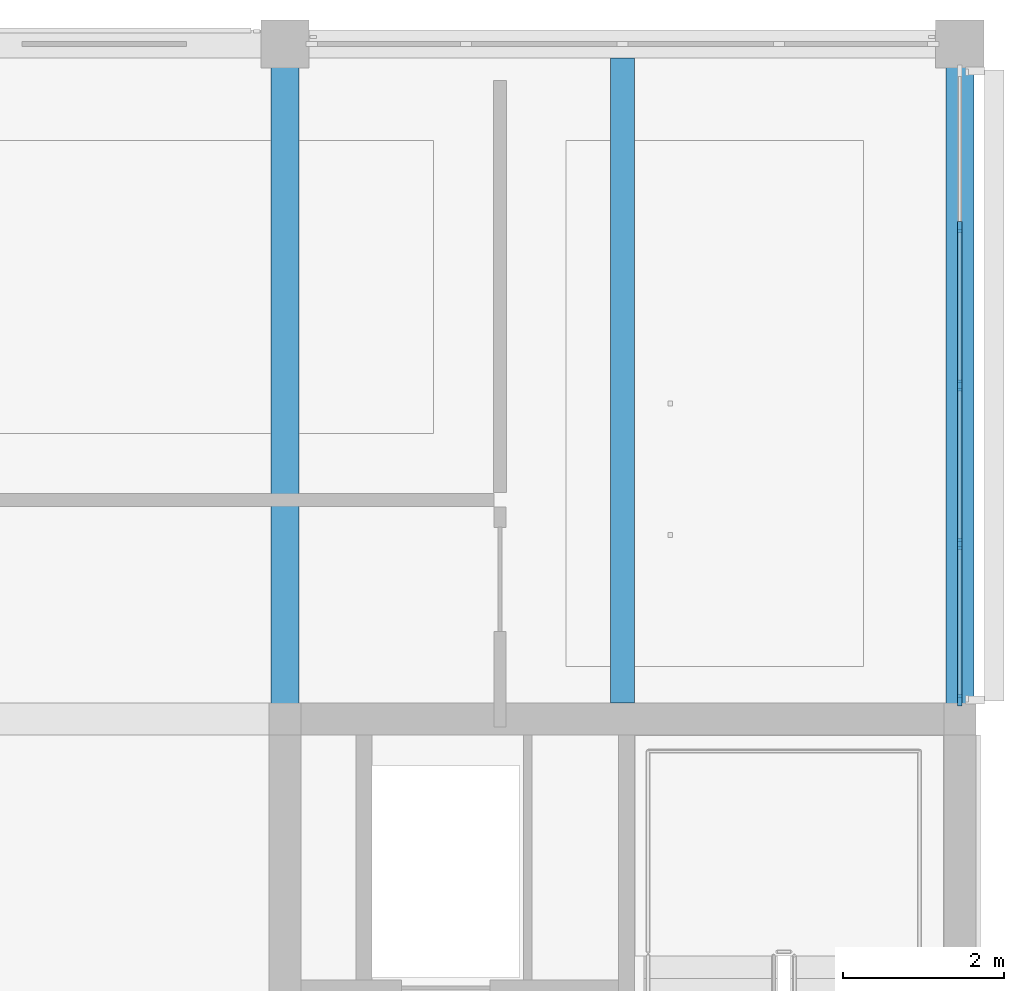
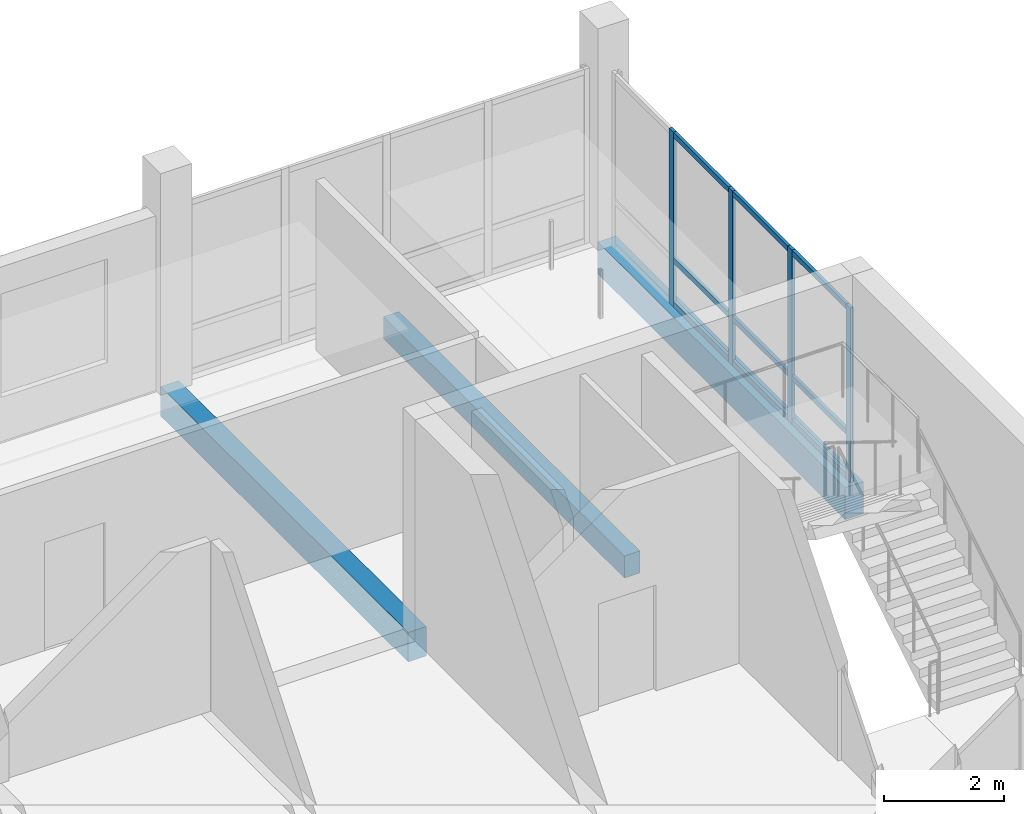
# One storey, part 7 of 30: 13 members, 3 beams, 1 element without a shape of its own.
"""IFC4 building model written with IfcOpenShell, lengths in metres."""

from ifc_helpers import new_model, si_unit, direction, frame, origin, origin_2d, place, context, subcontext, project, spatial, rectangle, extrude, material, layer, layer_set, material_profile, profile_set, type_object, element, aggregate, save


model = new_model("IFC4")

# Units and contexts
model_context = context("Model", 3, precision=1e-05, world=origin(), true_north=direction((0.0, 1.0)))
body_context = subcontext(model_context, "Body", "Model", "MODEL_VIEW")
ifc_project = project(units=[si_unit("LENGTHUNIT", "METRE"), si_unit("AREAUNIT", "SQUARE_METRE"), si_unit("VOLUMEUNIT", "CUBIC_METRE"), si_unit("PLANEANGLEUNIT", "RADIAN"), si_unit("MASSUNIT", "GRAM", prefix="KILO")], contexts=[model_context])

# Site, building, storey
site_placement = place(None, origin())
site = spatial("IfcSite", under=ifc_project, at=site_placement, CompositionType="ELEMENT")
building_placement = place(site_placement, origin())
building = spatial("IfcBuilding", under=site, at=building_placement, Name="Telukmera Botanical Conservatory", CompositionType="ELEMENT")
storey_placement = place(building_placement, frame((0.0, 0.0, 60.0)))
storey = spatial("IfcBuildingStorey", under=building, at=storey_placement, Name="L13", CompositionType="ELEMENT", Elevation=60.0)

# Beams
ifc_material_1 = material(Name="Concrete C40/50", Category="concrete")
ifc_material_profile_1 = material_profile(ifc_material_1, rectangle(XDim=0.300048828125, YDim=0.449951171875, at=origin_2d()), Name="RC 300x450")
ifc_profile_set_1 = profile_set([ifc_material_profile_1], Name="Concrete C40/50")
beam_type_1 = type_object("IfcBeamType", Name="Beam_B25", PredefinedType="JOIST", material=ifc_profile_set_1)
beam_1_placement = place(storey_placement, frame((96.60009765625, 34.60009765625, -0.22509765625), z_axis=(0.0, 1.0, 0.0), x_axis=(-1.0, 0.0, 0.0)))
element("IfcBeam", 1, at=beam_1_placement, inside=storey, type_object=beam_type_1, Name="Tower Secondary Floor Joist L13", PredefinedType="JOIST", context=body_context, shape_type="SweptSolid", body=[
    extrude(rectangle(XDim=0.300048828125, YDim=0.449951171875, at=origin_2d()), origin(), (0.0, 0.0, 1.0), 8.02490234375),
])
ifc_material_profile_2 = material_profile(ifc_material_1, rectangle(XDim=0.35009765625, YDim=0.60009765625, at=origin_2d()), Name="RC 350x600")
ifc_profile_set_2 = profile_set([ifc_material_profile_2], Name="Concrete C40/50")
beam_type_2 = type_object("IfcBeamType", Name="Beam_B9", PredefinedType="BEAM", material=ifc_profile_set_2)
beam_2_placement = place(storey_placement, frame((92.39990234375, 34.47998046875, -0.300048828125), z_axis=(0.0, 1.0, 0.0), x_axis=(-1.0, 0.0, 0.0)))
element("IfcBeam", 2, at=beam_2_placement, inside=storey, type_object=beam_type_2, Name="Tower Transverse Beam L13", PredefinedType="BEAM", context=body_context, shape_type="SweptSolid", body=[
    extrude(rectangle(XDim=0.35009765625, YDim=0.60009765625, at=origin_2d()), origin(), (0.0, 0.0, 1.0), 8.239990234375),
])
ifc_material_2 = material(Name="Precast concrete C40/50", Category="concrete")
ifc_material_profile_3 = material_profile(ifc_material_2, rectangle(XDim=0.35009765625, YDim=0.64990234375, at=origin_2d()), Name="PC 350x650")
ifc_profile_set_3 = profile_set([ifc_material_profile_3], Name="Precast concrete C40/50")
beam_type_3 = type_object("IfcBeamType", Name="Beam_SP3", PredefinedType="SPANDREL", material=ifc_profile_set_3)
beam_3_placement = place(storey_placement, frame((100.800048828125, 34.47998046875, -0.324951171875), z_axis=(0.0, 1.0, 0.0), x_axis=(-1.0, 0.0, 0.0)))
element("IfcBeam", 3, at=beam_3_placement, inside=storey, type_object=beam_type_3, Name="Tower Transverse Beam L13", PredefinedType="SPANDREL", context=body_context, shape_type="SweptSolid", body=[
    extrude(rectangle(XDim=0.35009765625, YDim=0.64990234375, at=origin_2d()), origin(), (0.0, 0.0, 1.0), 8.239990234375),
])

# Curtain wall, members
ifc_material_3 = material(Name="Anodised aluminium 6063-T6", Category="aluminium")
ifc_layer = layer(ifc_material_3, 0.179931640625)
ifc_layer_set = layer_set([ifc_layer], Name="Anodised aluminium 6063-T6")
curtain_wall_type = type_object("IfcCurtainWallType", Name="Tower Research Laboratory Unitised Curtain Wall", PredefinedType="USERDEFINED", material=ifc_layer_set)
curtain_wall_placement = place(storey_placement, origin())
curtain_wall = element("IfcCurtainWall", 4, at=curtain_wall_placement, inside=storey, type_object=curtain_wall_type, Name="Unitised Curtain Wall CW15 V4:L13:E4", ObjectType="UNITISED CURTAIN WALL", PredefinedType="USERDEFINED")
ifc_material_profile_4 = material_profile(ifc_material_3, rectangle(XDim=0.06005859375, YDim=0.139892578125, at=origin_2d()), Name="ALU MULL 60x140")
ifc_profile_set_4 = profile_set([ifc_material_profile_4], Name="Anodised aluminium 6063-T6")
member_type_1 = type_object("IfcMemberType", Name="Curtain Wall Extruded Mullion 60x140", PredefinedType="MULLION", material=ifc_profile_set_4)
member_1_placement = place(storey_placement, frame((100.800048828125, 34.632080078125, 0.0), z_axis=(0.0, 0.0, 1.0), x_axis=(-1.0, 0.0, 0.0)))
member_1 = element("IfcMember", 5, at=member_1_placement, type_object=member_type_1, Name="CW15 mullion 1", PredefinedType="MULLION", context=body_context, shape_type="SweptSolid", body=[
    extrude(rectangle(XDim=0.06005859375, YDim=0.139892578125, at=origin_2d()), origin(), (0.0, 0.0, 1.0), 3.550048828125),
])
member_2_placement = place(storey_placement, frame((100.800048828125, 36.575927734375, 0.0), z_axis=(0.0, 0.0, 1.0), x_axis=(-1.0, 0.0, 0.0)))
member_2 = element("IfcMember", 6, at=member_2_placement, type_object=member_type_1, Name="CW15 mullion 2", PredefinedType="MULLION", context=body_context, shape_type="SweptSolid", body=[
    extrude(rectangle(XDim=0.06005859375, YDim=0.139892578125, at=origin_2d()), origin(), (0.0, 0.0, 1.0), 3.550048828125),
])
member_3_placement = place(storey_placement, frame((100.800048828125, 38.550048828125, 0.0), z_axis=(0.0, 0.0, 1.0), x_axis=(-1.0, 0.0, 0.0)))
member_3 = element("IfcMember", 7, at=member_3_placement, type_object=member_type_1, Name="CW15 mullion 3", PredefinedType="MULLION", context=body_context, shape_type="SweptSolid", body=[
    extrude(rectangle(XDim=0.06005859375, YDim=0.139892578125, at=origin_2d()), origin(), (0.0, 0.0, 1.0), 3.550048828125),
])
member_4_placement = place(storey_placement, frame((100.800048828125, 40.52392578125, 0.0), z_axis=(0.0, 0.0, 1.0), x_axis=(-1.0, 0.0, 0.0)))
member_4 = element("IfcMember", 8, at=member_4_placement, type_object=member_type_1, Name="CW15 mullion 4", PredefinedType="MULLION", context=body_context, shape_type="SweptSolid", body=[
    extrude(rectangle(XDim=0.06005859375, YDim=0.139892578125, at=origin_2d()), origin(), (0.0, 0.0, 1.0), 3.550048828125),
])
ifc_material_profile_5 = material_profile(ifc_material_3, rectangle(XDim=0.06005859375, YDim=0.110107421875, at=origin_2d()), Name="ALU TRAN 60x110")
ifc_profile_set_5 = profile_set([ifc_material_profile_5], Name="Anodised aluminium 6063-T6")
member_type_2 = type_object("IfcMemberType", Name="Curtain Wall Extruded Transom 60x110", PredefinedType="USERDEFINED", material=ifc_profile_set_5)
member_5_placement = place(storey_placement, frame((100.800048828125, 34.662109375, 0.054931640625), z_axis=(0.0, 1.0, 0.0), x_axis=(-1.0, 0.0, 0.0)))
member_5 = element("IfcMember", 9, at=member_5_placement, type_object=member_type_2, Name="CW15 transom 1.1", ObjectType="TRANSOM", PredefinedType="USERDEFINED", context=body_context, shape_type="SweptSolid", body=[
    extrude(rectangle(XDim=0.06005859375, YDim=0.110107421875, at=origin_2d()), origin(), (0.0, 0.0, 1.0), 1.8837890625),
])
member_6_placement = place(storey_placement, frame((100.800048828125, 34.662109375, 0.949951171875), z_axis=(0.0, 1.0, 0.0), x_axis=(-1.0, 0.0, 0.0)))
member_6 = element("IfcMember", 10, at=member_6_placement, type_object=member_type_2, Name="CW15 transom 1.2", ObjectType="TRANSOM", PredefinedType="USERDEFINED", context=body_context, shape_type="SweptSolid", body=[
    extrude(rectangle(XDim=0.06005859375, YDim=0.110107421875, at=origin_2d()), origin(), (0.0, 0.0, 1.0), 1.8837890625),
])
member_7_placement = place(storey_placement, frame((100.800048828125, 34.662109375, 3.4951171875), z_axis=(0.0, 1.0, 0.0), x_axis=(-1.0, 0.0, 0.0)))
member_7 = element("IfcMember", 11, at=member_7_placement, type_object=member_type_2, Name="CW15 transom 1.3", ObjectType="TRANSOM", PredefinedType="USERDEFINED", context=body_context, shape_type="SweptSolid", body=[
    extrude(rectangle(XDim=0.06005859375, YDim=0.110107421875, at=origin_2d()), origin(), (0.0, 0.0, 1.0), 1.8837890625),
])
member_8_placement = place(storey_placement, frame((100.800048828125, 36.60595703125, 0.054931640625), z_axis=(0.0, 1.0, 0.0), x_axis=(-1.0, 0.0, 0.0)))
member_8 = element("IfcMember", 12, at=member_8_placement, type_object=member_type_2, Name="CW15 transom 2.1", ObjectType="TRANSOM", PredefinedType="USERDEFINED", context=body_context, shape_type="SweptSolid", body=[
    extrude(rectangle(XDim=0.06005859375, YDim=0.110107421875, at=origin_2d()), origin(), (0.0, 0.0, 1.0), 1.9140625),
])
member_9_placement = place(storey_placement, frame((100.800048828125, 36.60595703125, 0.949951171875), z_axis=(0.0, 1.0, 0.0), x_axis=(-1.0, 0.0, 0.0)))
member_9 = element("IfcMember", 13, at=member_9_placement, type_object=member_type_2, Name="CW15 transom 2.2", ObjectType="TRANSOM", PredefinedType="USERDEFINED", context=body_context, shape_type="SweptSolid", body=[
    extrude(rectangle(XDim=0.06005859375, YDim=0.110107421875, at=origin_2d()), origin(), (0.0, 0.0, 1.0), 1.9140625),
])
member_10_placement = place(storey_placement, frame((100.800048828125, 36.60595703125, 3.4951171875), z_axis=(0.0, 1.0, 0.0), x_axis=(-1.0, 0.0, 0.0)))
member_10 = element("IfcMember", 14, at=member_10_placement, type_object=member_type_2, Name="CW15 transom 2.3", ObjectType="TRANSOM", PredefinedType="USERDEFINED", context=body_context, shape_type="SweptSolid", body=[
    extrude(rectangle(XDim=0.06005859375, YDim=0.110107421875, at=origin_2d()), origin(), (0.0, 0.0, 1.0), 1.9140625),
])
member_11_placement = place(storey_placement, frame((100.800048828125, 38.580078125, 0.054931640625), z_axis=(0.0, 1.0, 0.0), x_axis=(-1.0, 0.0, 0.0)))
member_11 = element("IfcMember", 15, at=member_11_placement, type_object=member_type_2, Name="CW15 transom 3.1", ObjectType="TRANSOM", PredefinedType="USERDEFINED", context=body_context, shape_type="SweptSolid", body=[
    extrude(rectangle(XDim=0.06005859375, YDim=0.110107421875, at=origin_2d()), origin(), (0.0, 0.0, 1.0), 1.913818359375),
])
member_12_placement = place(storey_placement, frame((100.800048828125, 38.580078125, 0.949951171875), z_axis=(0.0, 1.0, 0.0), x_axis=(-1.0, 0.0, 0.0)))
member_12 = element("IfcMember", 16, at=member_12_placement, type_object=member_type_2, Name="CW15 transom 3.2", ObjectType="TRANSOM", PredefinedType="USERDEFINED", context=body_context, shape_type="SweptSolid", body=[
    extrude(rectangle(XDim=0.06005859375, YDim=0.110107421875, at=origin_2d()), origin(), (0.0, 0.0, 1.0), 1.913818359375),
])
member_13_placement = place(storey_placement, frame((100.800048828125, 38.580078125, 3.4951171875), z_axis=(0.0, 1.0, 0.0), x_axis=(-1.0, 0.0, 0.0)))
member_13 = element("IfcMember", 17, at=member_13_placement, type_object=member_type_2, Name="CW15 transom 3.3", ObjectType="TRANSOM", PredefinedType="USERDEFINED", context=body_context, shape_type="SweptSolid", body=[
    extrude(rectangle(XDim=0.06005859375, YDim=0.110107421875, at=origin_2d()), origin(), (0.0, 0.0, 1.0), 1.913818359375),
])
aggregate(curtain_wall, [member_1, member_2, member_3, member_4, member_5, member_6, member_7, member_8, member_9, member_10, member_11, member_12, member_13])

save(model, "model.ifc")
